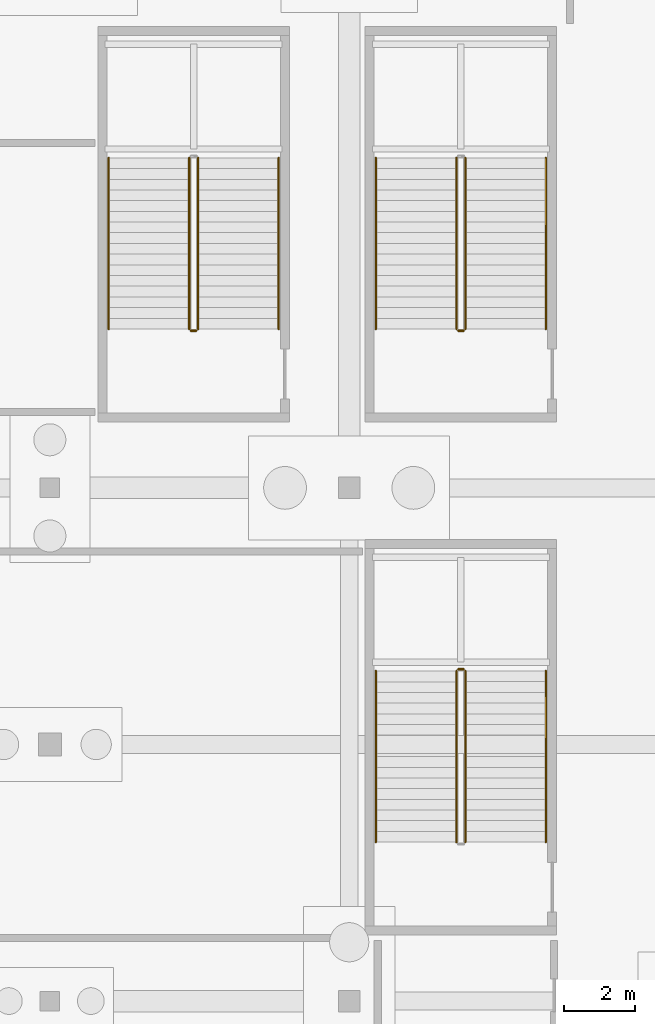
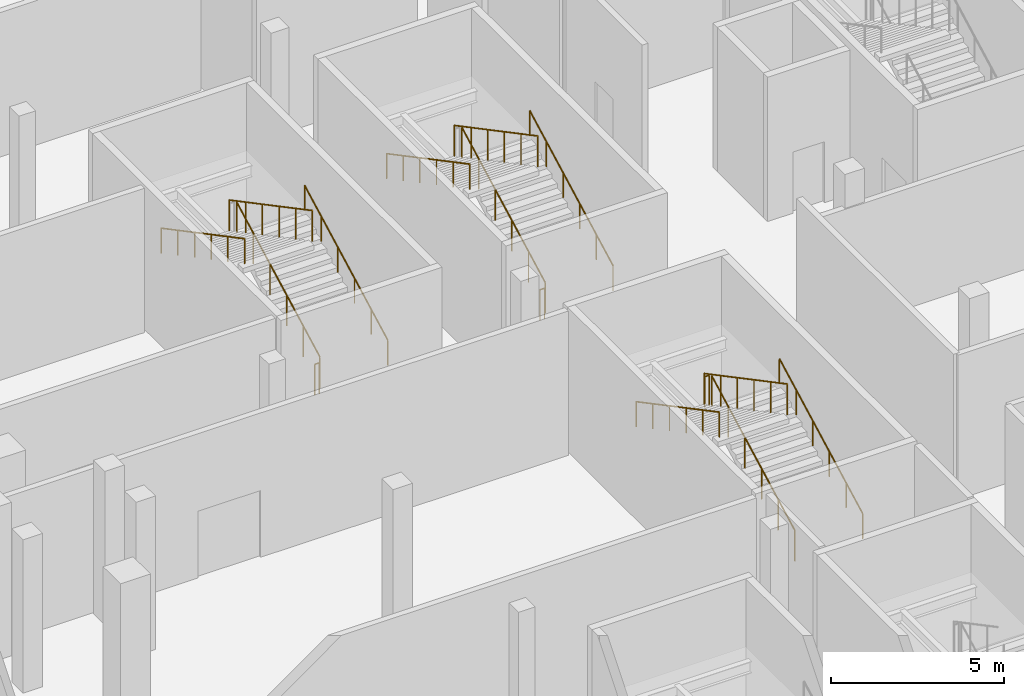
# One storey, part 78 of 89: 15 railings.
"""IFC4 building model written with IfcOpenShell, lengths in metres."""

from ifc_helpers import new_model, si_unit, direction, frame, origin, origin_2d, place, context, subcontext, project, spatial, circle, extrude, material, type_object, element, save


model = new_model("IFC4")

# Units and contexts
model_context = context("Model", 3, precision=1e-05, world=origin(), true_north=direction((0.0, 1.0)))
body_context = subcontext(model_context, "Body", "Model", "MODEL_VIEW")
ifc_project = project(units=[si_unit("LENGTHUNIT", "METRE"), si_unit("AREAUNIT", "SQUARE_METRE"), si_unit("VOLUMEUNIT", "CUBIC_METRE"), si_unit("PLANEANGLEUNIT", "RADIAN"), si_unit("MASSUNIT", "GRAM", prefix="KILO")], contexts=[model_context])

# Site, building, storey
site_placement = place(None, origin())
site = spatial("IfcSite", under=ifc_project, at=site_placement, CompositionType="ELEMENT")
building_placement = place(site_placement, origin())
building = spatial("IfcBuilding", under=site, at=building_placement, Name="Koshinbarg Plaza Stadium", CompositionType="ELEMENT")
storey_placement = place(building_placement, origin())
storey = spatial("IfcBuildingStorey", under=building, at=storey_placement, Name="L00", CompositionType="ELEMENT", Elevation=0.0)

# Railings
ifc_material_1 = material(Name="Galvanized painted steel guardrail", Category="steel")
railing_type_1 = type_object("IfcRailingType", Name="RL-GUARD-1100", PredefinedType="GUARDRAIL", material=ifc_material_1)
railing_1_placement = place(storey_placement, frame((201.06005859375, 44.360107421875, 0.158935546875)))
element("IfcRailing", 1, at=railing_1_placement, inside=storey, type_object=railing_type_1, Name="L00 VX08 stair guard 1", PredefinedType="GUARDRAIL", context=body_context, shape_type="SweptSolid", body=[
    extrude(circle(Radius=0.02392578125, at=origin_2d()), frame((0.0, 0.0, 1.076171875), z_axis=(0.0, 0.883792290195, 0.467879458614), x_axis=(-1.0, 0.0, 0.0)), (0.0, 0.0, 1.0), 5.430908203125),
    extrude(circle(Radius=0.02099609375, at=origin_2d()), origin(), (0.0, 0.0, 1.0), 1.052001953125),
    extrude(circle(Radius=0.02099609375, at=origin_2d()), frame((0.0, 0.9599609375, 0.50830078125)), (0.0, 0.0, 1.0), 1.052001953125),
    extrude(circle(Radius=0.02099609375, at=origin_2d()), frame((0.0, 1.919921875, 1.016357421875)), (0.0, 0.0, 1.0), 1.052001953125),
    extrude(circle(Radius=0.02099609375, at=origin_2d()), frame((0.0, 2.8798828125, 1.524658203125)), (0.0, 0.0, 1.0), 1.052001953125),
    extrude(circle(Radius=0.02099609375, at=origin_2d()), frame((0.0, 3.83984375, 2.03271484375)), (0.0, 0.0, 1.0), 1.052001953125),
    extrude(circle(Radius=0.02099609375, at=origin_2d()), frame((0.0, 4.7998046875, 2.541015625)), (0.0, 0.0, 1.0), 1.052001953125),
])
railing_2_placement = place(storey_placement, frame((201.010009765625, 49.2099609375, 2.699951171875)))
element("IfcRailing", 2, at=railing_2_placement, inside=storey, type_object=railing_type_1, Name="L00 VX08 stair guard 2", PredefinedType="GUARDRAIL", context=body_context, shape_type="SweptSolid", body=[
    extrude(circle(Radius=0.02392578125, at=origin_2d()), frame((0.0, 0.0, 1.076171875), z_axis=(-1.0, 0.0, 0.0), x_axis=(0.0, -1.0, 0.0)), (0.0, 0.0, 1.0), 0.14990234375),
    extrude(circle(Radius=0.02099609375, at=origin_2d()), origin(), (0.0, 0.0, 1.0), 1.052001953125),
    extrude(circle(Radius=0.02099609375, at=origin_2d()), frame((-0.14990234375, 0.0, 0.0)), (0.0, 0.0, 1.0), 1.052001953125),
])
railing_3_placement = place(storey_placement, frame((200.81005859375, 49.159912109375, 2.85888671875)))
element("IfcRailing", 3, at=railing_3_placement, inside=storey, type_object=railing_type_1, Name="L00 VX08 stair guard 3", PredefinedType="GUARDRAIL", context=body_context, shape_type="SweptSolid", body=[
    extrude(circle(Radius=0.02392578125, at=origin_2d()), frame((0.0, 0.0, 1.076171875), z_axis=(0.0, -0.883792290195, 0.467879458614), x_axis=(1.0, 0.0, 0.0)), (0.0, 0.0, 1.0), 5.430908203125),
    extrude(circle(Radius=0.02099609375, at=origin_2d()), origin(), (0.0, 0.0, 1.0), 1.052001953125),
    extrude(circle(Radius=0.02099609375, at=origin_2d()), frame((0.0, -0.9599609375, 0.50830078125)), (0.0, 0.0, 1.0), 1.052001953125),
    extrude(circle(Radius=0.02099609375, at=origin_2d()), frame((0.0, -1.919921875, 1.016357421875)), (0.0, 0.0, 1.0), 1.052001953125),
    extrude(circle(Radius=0.02099609375, at=origin_2d()), frame((0.0, -2.8798828125, 1.524658203125)), (0.0, 0.0, 1.0), 1.052001953125),
    extrude(circle(Radius=0.02099609375, at=origin_2d()), frame((0.0, -3.83984375, 2.03271484375)), (0.0, 0.0, 1.0), 1.052001953125),
    extrude(circle(Radius=0.02099609375, at=origin_2d()), frame((0.0, -4.7998046875, 2.541015625)), (0.0, 0.0, 1.0), 1.052001953125),
])
railing_4_placement = place(storey_placement, frame((201.06005859375, 58.760009765625, 0.158935546875)))
element("IfcRailing", 4, at=railing_4_placement, inside=storey, type_object=railing_type_1, Name="L00 VX09 stair guard 1", PredefinedType="GUARDRAIL", context=body_context, shape_type="SweptSolid", body=[
    extrude(circle(Radius=0.02392578125, at=origin_2d()), frame((0.0, 0.0, 1.076171875), z_axis=(0.0, 0.883802130504, 0.467860870469), x_axis=(-1.0, 0.0, 0.0)), (0.0, 0.0, 1.0), 5.43115234375),
    extrude(circle(Radius=0.02099609375, at=origin_2d()), origin(), (0.0, 0.0, 1.0), 1.052001953125),
    extrude(circle(Radius=0.02099609375, at=origin_2d()), frame((0.0, 0.9599609375, 0.50830078125)), (0.0, 0.0, 1.0), 1.052001953125),
    extrude(circle(Radius=0.02099609375, at=origin_2d()), frame((0.0, 1.919921875, 1.016357421875)), (0.0, 0.0, 1.0), 1.052001953125),
    extrude(circle(Radius=0.02099609375, at=origin_2d()), frame((0.0, 2.880126953125, 1.524658203125)), (0.0, 0.0, 1.0), 1.052001953125),
    extrude(circle(Radius=0.02099609375, at=origin_2d()), frame((0.0, 3.840087890625, 2.03271484375)), (0.0, 0.0, 1.0), 1.052001953125),
    extrude(circle(Radius=0.02099609375, at=origin_2d()), frame((0.0, 4.800048828125, 2.541015625)), (0.0, 0.0, 1.0), 1.052001953125),
])
railing_5_placement = place(storey_placement, frame((200.81005859375, 63.56005859375, 2.85888671875)))
element("IfcRailing", 5, at=railing_5_placement, inside=storey, type_object=railing_type_1, Name="L00 VX09 stair guard 3", PredefinedType="GUARDRAIL", context=body_context, shape_type="SweptSolid", body=[
    extrude(circle(Radius=0.02392578125, at=origin_2d()), frame((0.0, 0.0, 1.076171875), z_axis=(0.0, -0.883802130504, 0.467860870469), x_axis=(1.0, 0.0, 0.0)), (0.0, 0.0, 1.0), 5.43115234375),
    extrude(circle(Radius=0.02099609375, at=origin_2d()), origin(), (0.0, 0.0, 1.0), 1.052001953125),
    extrude(circle(Radius=0.02099609375, at=origin_2d()), frame((0.0, -0.9599609375, 0.50830078125)), (0.0, 0.0, 1.0), 1.052001953125),
    extrude(circle(Radius=0.02099609375, at=origin_2d()), frame((0.0, -1.919921875, 1.016357421875)), (0.0, 0.0, 1.0), 1.052001953125),
    extrude(circle(Radius=0.02099609375, at=origin_2d()), frame((0.0, -2.880126953125, 1.524658203125)), (0.0, 0.0, 1.0), 1.052001953125),
    extrude(circle(Radius=0.02099609375, at=origin_2d()), frame((0.0, -3.840087890625, 2.03271484375)), (0.0, 0.0, 1.0), 1.052001953125),
    extrude(circle(Radius=0.02099609375, at=origin_2d()), frame((0.0, -4.800048828125, 2.541015625)), (0.0, 0.0, 1.0), 1.052001953125),
])
railing_6_placement = place(storey_placement, frame((201.010009765625, 58.7099609375, 0.0)))
element("IfcRailing", 6, at=railing_6_placement, inside=storey, type_object=railing_type_1, Name="L00 VX09 stair guard 4", PredefinedType="GUARDRAIL", context=body_context, shape_type="SweptSolid", body=[
    extrude(circle(Radius=0.02392578125, at=origin_2d()), frame((0.0, 0.0, 1.076171875), z_axis=(-1.0, 0.0, 0.0), x_axis=(0.0, -1.0, 0.0)), (0.0, 0.0, 1.0), 0.14990234375),
    extrude(circle(Radius=0.02099609375, at=origin_2d()), origin(), (0.0, 0.0, 1.0), 1.052001953125),
    extrude(circle(Radius=0.02099609375, at=origin_2d()), frame((-0.14990234375, 0.0, 0.0)), (0.0, 0.0, 1.0), 1.052001953125),
])
railing_7_placement = place(storey_placement, frame((193.56005859375, 58.760009765625, 0.158935546875)))
element("IfcRailing", 7, at=railing_7_placement, inside=storey, type_object=railing_type_1, Name="L00 VL06 stair guard 1", PredefinedType="GUARDRAIL", context=body_context, shape_type="SweptSolid", body=[
    extrude(circle(Radius=0.02392578125, at=origin_2d()), frame((0.0, 0.0, 1.076171875), z_axis=(0.0, 0.883802130504, 0.467860870469), x_axis=(-1.0, 0.0, 0.0)), (0.0, 0.0, 1.0), 5.43115234375),
    extrude(circle(Radius=0.02099609375, at=origin_2d()), origin(), (0.0, 0.0, 1.0), 1.052001953125),
    extrude(circle(Radius=0.02099609375, at=origin_2d()), frame((0.0, 0.9599609375, 0.50830078125)), (0.0, 0.0, 1.0), 1.052001953125),
    extrude(circle(Radius=0.02099609375, at=origin_2d()), frame((0.0, 1.919921875, 1.016357421875)), (0.0, 0.0, 1.0), 1.052001953125),
    extrude(circle(Radius=0.02099609375, at=origin_2d()), frame((0.0, 2.880126953125, 1.524658203125)), (0.0, 0.0, 1.0), 1.052001953125),
    extrude(circle(Radius=0.02099609375, at=origin_2d()), frame((0.0, 3.840087890625, 2.03271484375)), (0.0, 0.0, 1.0), 1.052001953125),
    extrude(circle(Radius=0.02099609375, at=origin_2d()), frame((0.0, 4.800048828125, 2.541015625)), (0.0, 0.0, 1.0), 1.052001953125),
])
railing_8_placement = place(storey_placement, frame((193.31005859375, 63.56005859375, 2.85888671875)))
element("IfcRailing", 8, at=railing_8_placement, inside=storey, type_object=railing_type_1, Name="L00 VL06 stair guard 3", PredefinedType="GUARDRAIL", context=body_context, shape_type="SweptSolid", body=[
    extrude(circle(Radius=0.02392578125, at=origin_2d()), frame((0.0, 0.0, 1.076171875), z_axis=(0.0, -0.883802130504, 0.467860870469), x_axis=(1.0, 0.0, 0.0)), (0.0, 0.0, 1.0), 5.43115234375),
    extrude(circle(Radius=0.02099609375, at=origin_2d()), origin(), (0.0, 0.0, 1.0), 1.052001953125),
    extrude(circle(Radius=0.02099609375, at=origin_2d()), frame((0.0, -0.9599609375, 0.50830078125)), (0.0, 0.0, 1.0), 1.052001953125),
    extrude(circle(Radius=0.02099609375, at=origin_2d()), frame((0.0, -1.919921875, 1.016357421875)), (0.0, 0.0, 1.0), 1.052001953125),
    extrude(circle(Radius=0.02099609375, at=origin_2d()), frame((0.0, -2.880126953125, 1.524658203125)), (0.0, 0.0, 1.0), 1.052001953125),
    extrude(circle(Radius=0.02099609375, at=origin_2d()), frame((0.0, -3.840087890625, 2.03271484375)), (0.0, 0.0, 1.0), 1.052001953125),
    extrude(circle(Radius=0.02099609375, at=origin_2d()), frame((0.0, -4.800048828125, 2.541015625)), (0.0, 0.0, 1.0), 1.052001953125),
])
railing_9_placement = place(storey_placement, frame((193.510009765625, 58.7099609375, 0.0)))
element("IfcRailing", 9, at=railing_9_placement, inside=storey, type_object=railing_type_1, Name="L00 VL06 stair guard 4", PredefinedType="GUARDRAIL", context=body_context, shape_type="SweptSolid", body=[
    extrude(circle(Radius=0.02392578125, at=origin_2d()), frame((0.0, 0.0, 1.076171875), z_axis=(-1.0, 0.0, 0.0), x_axis=(0.0, -1.0, 0.0)), (0.0, 0.0, 1.0), 0.14990234375),
    extrude(circle(Radius=0.02099609375, at=origin_2d()), origin(), (0.0, 0.0, 1.0), 1.052001953125),
    extrude(circle(Radius=0.02099609375, at=origin_2d()), frame((-0.14990234375, 0.0, 0.0)), (0.0, 0.0, 1.0), 1.052001953125),
])
ifc_material_2 = material(Name="Brushed stainless steel handrail", Category="steel")
railing_type_2 = type_object("IfcRailingType", Name="RL-HAND-900", PredefinedType="HANDRAIL", material=ifc_material_2)
railing_10_placement = place(storey_placement, frame((203.320068359375, 44.360107421875, 0.158935546875)))
element("IfcRailing", 10, at=railing_10_placement, inside=storey, type_object=railing_type_2, Name="L00 VX08 stair handrail 1", PredefinedType="HANDRAIL", context=body_context, shape_type="SweptSolid", body=[
    extrude(circle(Radius=0.02392578125, at=origin_2d()), frame((0.0, 0.0, 0.8759765625), z_axis=(0.0, 0.883792290195, 0.467879458614), x_axis=(-1.0, 0.0, 0.0)), (0.0, 0.0, 1.0), 5.430908203125),
    extrude(circle(Radius=0.02099609375, at=origin_2d()), origin(), (0.0, 0.0, 1.0), 0.851806640625),
    extrude(circle(Radius=0.02099609375, at=origin_2d()), frame((0.0, 0.9599609375, 0.50830078125)), (0.0, 0.0, 1.0), 0.851806640625),
    extrude(circle(Radius=0.02099609375, at=origin_2d()), frame((0.0, 1.919921875, 1.016357421875)), (0.0, 0.0, 1.0), 0.851806640625),
    extrude(circle(Radius=0.02099609375, at=origin_2d()), frame((0.0, 2.8798828125, 1.524658203125)), (0.0, 0.0, 1.0), 0.851806640625),
    extrude(circle(Radius=0.02099609375, at=origin_2d()), frame((0.0, 3.83984375, 2.03271484375)), (0.0, 0.0, 1.0), 0.851806640625),
    extrude(circle(Radius=0.02099609375, at=origin_2d()), frame((0.0, 4.7998046875, 2.541015625)), (0.0, 0.0, 1.0), 0.851806640625),
])
railing_11_placement = place(storey_placement, frame((198.550048828125, 49.159912109375, 2.85888671875)))
element("IfcRailing", 11, at=railing_11_placement, inside=storey, type_object=railing_type_2, Name="L00 VX08 stair handrail 2", PredefinedType="HANDRAIL", context=body_context, shape_type="SweptSolid", body=[
    extrude(circle(Radius=0.02392578125, at=origin_2d()), frame((0.0, 0.0, 0.8759765625), z_axis=(0.0, -0.883792290195, 0.467879458614), x_axis=(1.0, 0.0, 0.0)), (0.0, 0.0, 1.0), 5.430908203125),
    extrude(circle(Radius=0.02099609375, at=origin_2d()), origin(), (0.0, 0.0, 1.0), 0.851806640625),
    extrude(circle(Radius=0.02099609375, at=origin_2d()), frame((0.0, -0.9599609375, 0.50830078125)), (0.0, 0.0, 1.0), 0.851806640625),
    extrude(circle(Radius=0.02099609375, at=origin_2d()), frame((0.0, -1.919921875, 1.016357421875)), (0.0, 0.0, 1.0), 0.851806640625),
    extrude(circle(Radius=0.02099609375, at=origin_2d()), frame((0.0, -2.8798828125, 1.524658203125)), (0.0, 0.0, 1.0), 0.851806640625),
    extrude(circle(Radius=0.02099609375, at=origin_2d()), frame((0.0, -3.83984375, 2.03271484375)), (0.0, 0.0, 1.0), 0.851806640625),
    extrude(circle(Radius=0.02099609375, at=origin_2d()), frame((0.0, -4.7998046875, 2.541015625)), (0.0, 0.0, 1.0), 0.851806640625),
])
railing_12_placement = place(storey_placement, frame((203.320068359375, 58.760009765625, 0.158935546875)))
element("IfcRailing", 12, at=railing_12_placement, inside=storey, type_object=railing_type_2, Name="L00 VX09 stair handrail 1", PredefinedType="HANDRAIL", context=body_context, shape_type="SweptSolid", body=[
    extrude(circle(Radius=0.02392578125, at=origin_2d()), frame((0.0, 0.0, 0.8759765625), z_axis=(0.0, 0.883802130504, 0.467860870469), x_axis=(-1.0, 0.0, 0.0)), (0.0, 0.0, 1.0), 5.43115234375),
    extrude(circle(Radius=0.02099609375, at=origin_2d()), origin(), (0.0, 0.0, 1.0), 0.851806640625),
    extrude(circle(Radius=0.02099609375, at=origin_2d()), frame((0.0, 0.9599609375, 0.50830078125)), (0.0, 0.0, 1.0), 0.851806640625),
    extrude(circle(Radius=0.02099609375, at=origin_2d()), frame((0.0, 1.919921875, 1.016357421875)), (0.0, 0.0, 1.0), 0.851806640625),
    extrude(circle(Radius=0.02099609375, at=origin_2d()), frame((0.0, 2.880126953125, 1.524658203125)), (0.0, 0.0, 1.0), 0.851806640625),
    extrude(circle(Radius=0.02099609375, at=origin_2d()), frame((0.0, 3.840087890625, 2.03271484375)), (0.0, 0.0, 1.0), 0.851806640625),
    extrude(circle(Radius=0.02099609375, at=origin_2d()), frame((0.0, 4.800048828125, 2.541015625)), (0.0, 0.0, 1.0), 0.851806640625),
])
railing_13_placement = place(storey_placement, frame((198.550048828125, 63.56005859375, 2.85888671875)))
element("IfcRailing", 13, at=railing_13_placement, inside=storey, type_object=railing_type_2, Name="L00 VX09 stair handrail 2", PredefinedType="HANDRAIL", context=body_context, shape_type="SweptSolid", body=[
    extrude(circle(Radius=0.02392578125, at=origin_2d()), frame((0.0, 0.0, 0.8759765625), z_axis=(0.0, -0.883802130504, 0.467860870469), x_axis=(1.0, 0.0, 0.0)), (0.0, 0.0, 1.0), 5.43115234375),
    extrude(circle(Radius=0.02099609375, at=origin_2d()), origin(), (0.0, 0.0, 1.0), 0.851806640625),
    extrude(circle(Radius=0.02099609375, at=origin_2d()), frame((0.0, -0.9599609375, 0.50830078125)), (0.0, 0.0, 1.0), 0.851806640625),
    extrude(circle(Radius=0.02099609375, at=origin_2d()), frame((0.0, -1.919921875, 1.016357421875)), (0.0, 0.0, 1.0), 0.851806640625),
    extrude(circle(Radius=0.02099609375, at=origin_2d()), frame((0.0, -2.880126953125, 1.524658203125)), (0.0, 0.0, 1.0), 0.851806640625),
    extrude(circle(Radius=0.02099609375, at=origin_2d()), frame((0.0, -3.840087890625, 2.03271484375)), (0.0, 0.0, 1.0), 0.851806640625),
    extrude(circle(Radius=0.02099609375, at=origin_2d()), frame((0.0, -4.800048828125, 2.541015625)), (0.0, 0.0, 1.0), 0.851806640625),
])
railing_14_placement = place(storey_placement, frame((195.820068359375, 58.760009765625, 0.158935546875)))
element("IfcRailing", 14, at=railing_14_placement, inside=storey, type_object=railing_type_2, Name="L00 VL06 stair handrail 1", PredefinedType="HANDRAIL", context=body_context, shape_type="SweptSolid", body=[
    extrude(circle(Radius=0.02392578125, at=origin_2d()), frame((0.0, 0.0, 0.8759765625), z_axis=(0.0, 0.883802130504, 0.467860870469), x_axis=(-1.0, 0.0, 0.0)), (0.0, 0.0, 1.0), 5.43115234375),
    extrude(circle(Radius=0.02099609375, at=origin_2d()), origin(), (0.0, 0.0, 1.0), 0.851806640625),
    extrude(circle(Radius=0.02099609375, at=origin_2d()), frame((0.0, 0.9599609375, 0.50830078125)), (0.0, 0.0, 1.0), 0.851806640625),
    extrude(circle(Radius=0.02099609375, at=origin_2d()), frame((0.0, 1.919921875, 1.016357421875)), (0.0, 0.0, 1.0), 0.851806640625),
    extrude(circle(Radius=0.02099609375, at=origin_2d()), frame((0.0, 2.880126953125, 1.524658203125)), (0.0, 0.0, 1.0), 0.851806640625),
    extrude(circle(Radius=0.02099609375, at=origin_2d()), frame((0.0, 3.840087890625, 2.03271484375)), (0.0, 0.0, 1.0), 0.851806640625),
    extrude(circle(Radius=0.02099609375, at=origin_2d()), frame((0.0, 4.800048828125, 2.541015625)), (0.0, 0.0, 1.0), 0.851806640625),
])
railing_15_placement = place(storey_placement, frame((191.050048828125, 63.56005859375, 2.85888671875)))
element("IfcRailing", 15, at=railing_15_placement, inside=storey, type_object=railing_type_2, Name="L00 VL06 stair handrail 2", PredefinedType="HANDRAIL", context=body_context, shape_type="SweptSolid", body=[
    extrude(circle(Radius=0.02392578125, at=origin_2d()), frame((0.0, 0.0, 0.8759765625), z_axis=(0.0, -0.883802130504, 0.467860870469), x_axis=(1.0, 0.0, 0.0)), (0.0, 0.0, 1.0), 5.43115234375),
    extrude(circle(Radius=0.02099609375, at=origin_2d()), origin(), (0.0, 0.0, 1.0), 0.851806640625),
    extrude(circle(Radius=0.02099609375, at=origin_2d()), frame((0.0, -0.9599609375, 0.50830078125)), (0.0, 0.0, 1.0), 0.851806640625),
    extrude(circle(Radius=0.02099609375, at=origin_2d()), frame((0.0, -1.919921875, 1.016357421875)), (0.0, 0.0, 1.0), 0.851806640625),
    extrude(circle(Radius=0.02099609375, at=origin_2d()), frame((0.0, -2.880126953125, 1.524658203125)), (0.0, 0.0, 1.0), 0.851806640625),
    extrude(circle(Radius=0.02099609375, at=origin_2d()), frame((0.0, -3.840087890625, 2.03271484375)), (0.0, 0.0, 1.0), 0.851806640625),
    extrude(circle(Radius=0.02099609375, at=origin_2d()), frame((0.0, -4.800048828125, 2.541015625)), (0.0, 0.0, 1.0), 0.851806640625),
])

save(model, "model.ifc")
